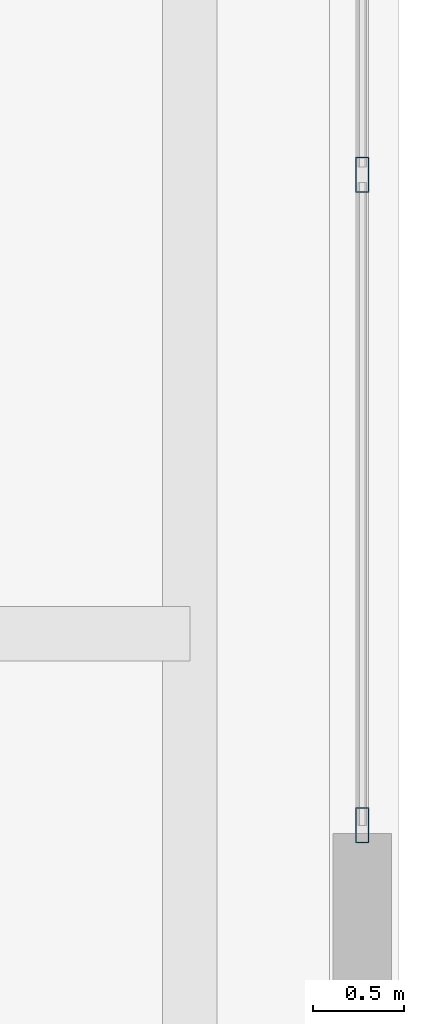
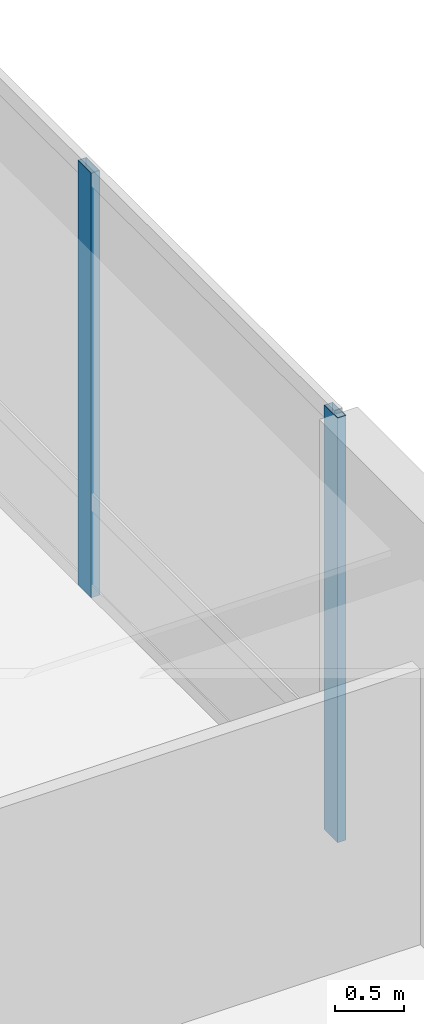
# One storey, part 16 of 47: 2 members, 1 element without a shape of its own.
"""IFC4 building model written with IfcOpenShell, lengths in metres."""

from ifc_helpers import new_model, si_unit, direction, frame, origin, origin_2d, place, context, subcontext, project, spatial, hollow_rectangle, extrude, material, material_profile, profile_set, type_object, element, aggregate, save


model = new_model("IFC4")

# Units and contexts
model_context = context("Model", 3, precision=1e-05, world=origin(), true_north=direction((0.0, 1.0)))
body_context = subcontext(model_context, "Body", "Model", "MODEL_VIEW")
ifc_project = project(units=[si_unit("LENGTHUNIT", "METRE"), si_unit("AREAUNIT", "SQUARE_METRE"), si_unit("VOLUMEUNIT", "CUBIC_METRE"), si_unit("PLANEANGLEUNIT", "RADIAN"), si_unit("MASSUNIT", "GRAM", prefix="KILO")], contexts=[model_context])

# Site, building, storey
site_placement = place(None, origin())
site = spatial("IfcSite", under=ifc_project, at=site_placement, CompositionType="ELEMENT")
building_placement = place(site_placement, origin())
building = spatial("IfcBuilding", under=site, at=building_placement, Name="Punatoya Terracotta Tower", CompositionType="ELEMENT")
storey_placement = place(building_placement, frame((0.0, 0.0, 168.14990234375)))
storey = spatial("IfcBuildingStorey", under=building, at=storey_placement, Name="L39", CompositionType="ELEMENT", Elevation=168.14990234375)

# Curtain wall, members
ifc_material_1 = material(Name="Aluminium 6063-T6 + Double Low-E Glass", Category="aluminium")
curtain_wall_type = type_object("IfcCurtainWallType", Name="CW-M2", PredefinedType="NOTDEFINED", material=ifc_material_1)
curtain_wall_placement = place(storey_placement, origin())
curtain_wall = element("IfcCurtainWall", 1, at=curtain_wall_placement, inside=storey, type_object=curtain_wall_type, Name="L39 Curtain Wall CW-L39-E05-1", PredefinedType="NOTDEFINED")
ifc_material_2 = material(Name="Aluminium 6063-T6", Category="aluminium")
ifc_material_profile = material_profile(ifc_material_2, hollow_rectangle(XDim=0.072021484375, YDim=0.195068359375, WallThickness=0.00439453125, at=origin_2d()))
ifc_profile_set = profile_set([ifc_material_profile], Name="Aluminium 6063-T6")
member_type = type_object("IfcMemberType", Name="CW-MUL-M2", PredefinedType="MULLION", material=ifc_profile_set)
member_1_placement = place(storey_placement, frame((20.050048828125, -10.2548828125, 0.0), z_axis=(0.0, 0.0, 1.0), x_axis=(1.0, 0.0, 0.0)))
member_1 = element("IfcMember", 2, at=member_1_placement, type_object=member_type, Name="CW-L39-E05-1 Mullion 00", PredefinedType="MULLION", context=body_context, shape_type="SweptSolid", body=[
    extrude(hollow_rectangle(XDim=0.072021484375, YDim=0.195068359375, WallThickness=0.00439453125, at=origin_2d()), origin(), (0.0, 0.0, 1.0), 3.77001953125),
])
member_2_placement = place(storey_placement, frame((20.050048828125, -6.67138671875, 0.0), z_axis=(0.0, 0.0, 1.0), x_axis=(1.0, 0.0, 0.0)))
member_2 = element("IfcMember", 3, at=member_2_placement, type_object=member_type, Name="CW-L39-E05-1 Mullion 01", PredefinedType="MULLION", context=body_context, shape_type="SweptSolid", body=[
    extrude(hollow_rectangle(XDim=0.072021484375, YDim=0.195068359375, WallThickness=0.00439453125, at=origin_2d()), origin(), (0.0, 0.0, 1.0), 3.77001953125),
])
aggregate(curtain_wall, [member_1, member_2])

save(model, "model.ifc")
